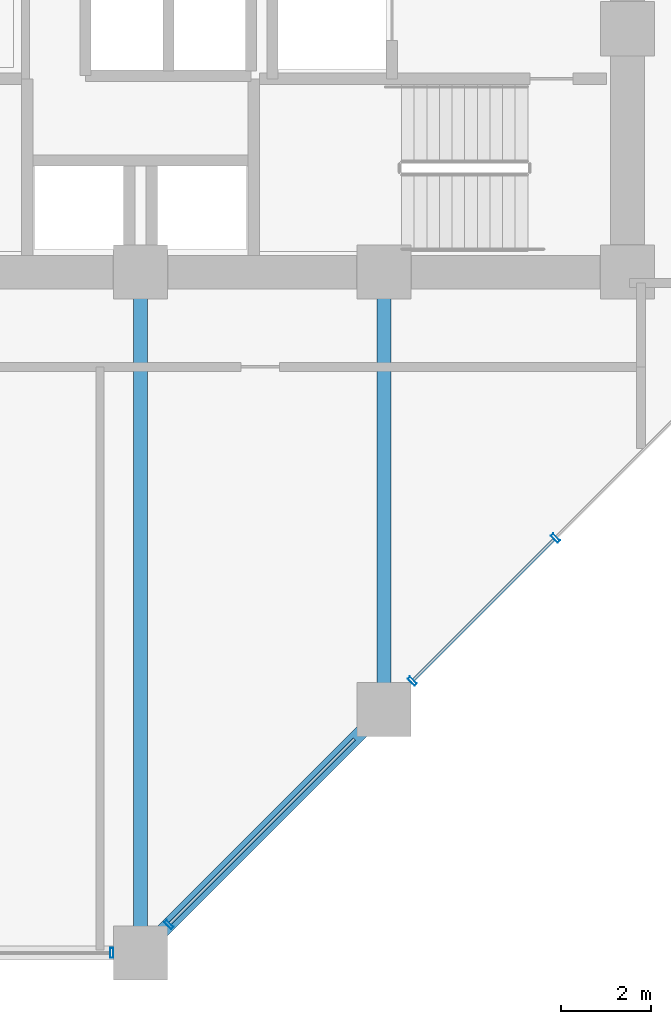
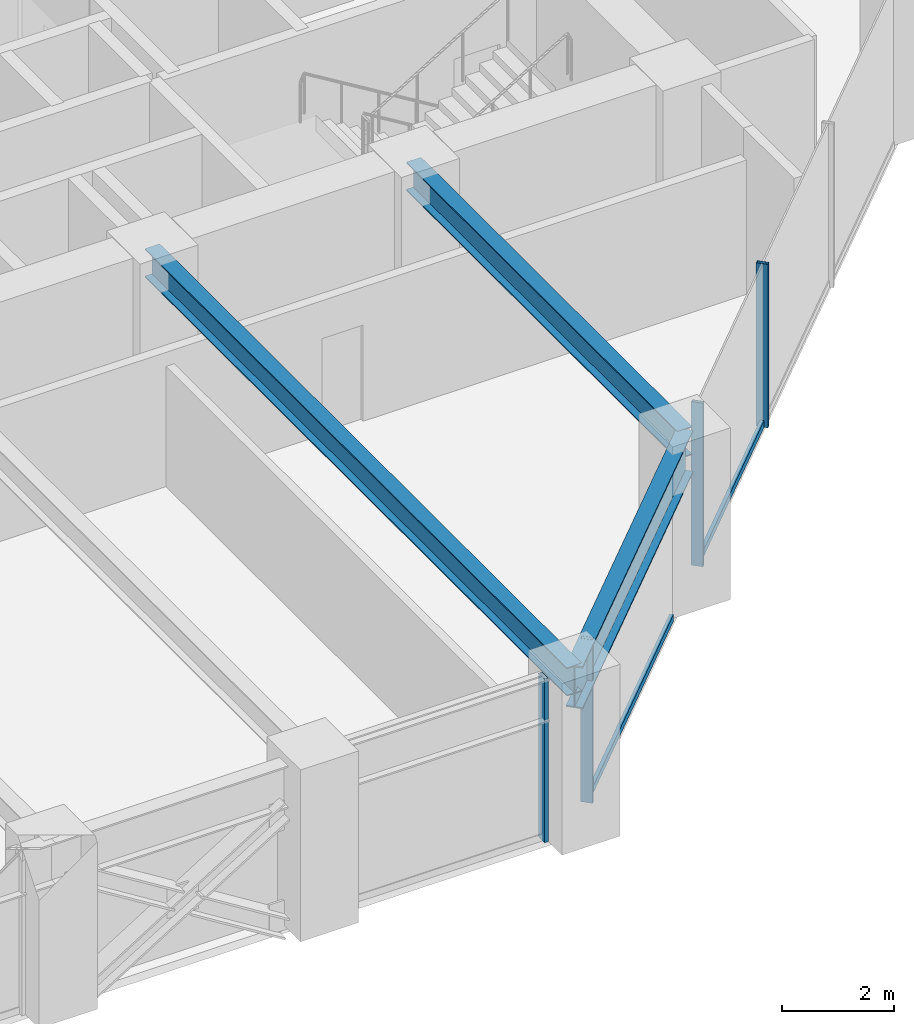
# One storey, part 7 of 27: 6 members, 3 beams, 2 elements without a shape of their own.
"""IFC4 building model written with IfcOpenShell, lengths in metres."""

from ifc_helpers import new_model, si_unit, direction, frame, origin, origin_2d, place, context, subcontext, project, spatial, hollow_rectangle, i_section, extrude, material, layer, layer_set, material_profile, profile_set, type_object, element, aggregate, save


model = new_model("IFC4")

# Units and contexts
model_context = context("Model", 3, precision=1e-05, world=origin(), true_north=direction((0.0, 1.0)))
body_context = subcontext(model_context, "Body", "Model", "MODEL_VIEW")
ifc_project = project(units=[si_unit("LENGTHUNIT", "METRE"), si_unit("AREAUNIT", "SQUARE_METRE"), si_unit("VOLUMEUNIT", "CUBIC_METRE"), si_unit("PLANEANGLEUNIT", "RADIAN"), si_unit("MASSUNIT", "GRAM", prefix="KILO")], contexts=[model_context])

# Site, building, storey
site_placement = place(None, origin())
site = spatial("IfcSite", under=ifc_project, at=site_placement, CompositionType="ELEMENT")
building_placement = place(site_placement, origin())
building = spatial("IfcBuilding", under=site, at=building_placement, Name="Surkhivell Harbour Commons", CompositionType="ELEMENT")
storey_placement = place(building_placement, frame((0.0, 0.0, 56.25)))
storey = spatial("IfcBuildingStorey", under=building, at=storey_placement, Name="L14", CompositionType="ELEMENT", Elevation=56.25)

# Beams
ifc_material_1 = material(Name="Steel S355", Category="steel")
ifc_material_profile_1 = material_profile(ifc_material_1, i_section(OverallWidth=0.306884765625, OverallDepth=0.6201171875, WebThickness=0.01416015625, FlangeThickness=0.023681640625, at=origin_2d()), Name="UB610x305x179")
ifc_profile_set_1 = profile_set([ifc_material_profile_1], Name="Steel S355")
beam_type_1 = type_object("IfcBeamType", Name="BM-GRD-610A", PredefinedType="BEAM", material=ifc_profile_set_1)
beam_1_placement = place(storey_placement, frame((0.0, -25.89990234375, 3.260009765625), z_axis=(0.0, 1.0, 0.0), x_axis=(-1.0, 0.0, 0.0)))
element("IfcBeam", 1, at=beam_1_placement, inside=storey, type_object=beam_type_1, Name="L14 Floor Girder (0.0,-25.9)", PredefinedType="BEAM", context=body_context, shape_type="SweptSolid", body=[
    extrude(i_section(OverallWidth=0.306884765625, OverallDepth=0.6201171875, WebThickness=0.01416015625, FlangeThickness=0.023681640625, at=origin_2d()), origin(), (0.0, 0.0, 1.0), 15.099853515625),
])
beam_2_placement = place(storey_placement, frame((5.39990234375, -20.5, 3.260009765625), z_axis=(0.0, 1.0, 0.0), x_axis=(-1.0, 0.0, 0.0)))
element("IfcBeam", 2, at=beam_2_placement, inside=storey, type_object=beam_type_1, Name="L14 Floor Girder (5.4,-20.5)", PredefinedType="BEAM", context=body_context, shape_type="SweptSolid", body=[
    extrude(i_section(OverallWidth=0.306884765625, OverallDepth=0.6201171875, WebThickness=0.01416015625, FlangeThickness=0.023681640625, at=origin_2d()), origin(), (0.0, 0.0, 1.0), 9.699951171875),
])
ifc_material_2 = material(Name="Steel S460", Category="steel")
ifc_material_profile_2 = material_profile(ifc_material_2, i_section(OverallWidth=0.30810546875, OverallDepth=0.927001953125, WebThickness=0.01953125, FlangeThickness=0.031982421875, at=origin_2d()), Name="UB914x305x289")
ifc_profile_set_2 = profile_set([ifc_material_profile_2], Name="Steel S460")
beam_type_2 = type_object("IfcBeamType", Name="BM-SPN-914B", PredefinedType="SPANDREL", material=ifc_profile_set_2)
beam_3_placement = place(storey_placement, frame((0.0, -25.89990234375, 3.1064453125), z_axis=(0.707106781187, 0.707106781187, 0.0), x_axis=(-0.707106781187, 0.707106781187, 0.0)))
element("IfcBeam", 3, at=beam_3_placement, inside=storey, type_object=beam_type_2, Name="L14 Tube Spandrel (-0.0,-25.9)", PredefinedType="SPANDREL", context=body_context, shape_type="SweptSolid", body=[
    extrude(i_section(OverallWidth=0.30810546875, OverallDepth=0.927001953125, WebThickness=0.01953125, FlangeThickness=0.031982421875, at=origin_2d()), origin(), (0.0, 0.0, 1.0), 7.63671875),
])

# Curtain wall, member
ifc_material_3 = material(Name="Anodised pale-metal aluminium and insulated glazing", Category="aluminium")
ifc_layer = layer(ifc_material_3, 0.219970703125)
ifc_layer_set = layer_set([ifc_layer], Name="Anodised pale-metal aluminium and insulated glazing")
curtain_wall_type = type_object("IfcCurtainWallType", Name="CW-SYS-Z1", PredefinedType="NOTDEFINED", material=ifc_layer_set)
curtain_wall_1_placement = place(storey_placement, origin())
curtain_wall_1 = element("IfcCurtainWall", 4, at=curtain_wall_1_placement, inside=storey, type_object=curtain_wall_type, Name="L14 Curtain Wall CW-L14-E00S2", PredefinedType="NOTDEFINED")
ifc_material_4 = material(Name="Anodised pale-metal aluminium alloy 6063-T6", Category="aluminium")
ifc_material_profile_3 = material_profile(ifc_material_4, hollow_rectangle(XDim=0.074951171875, YDim=0.219970703125, WallThickness=0.00390625, at=origin_2d()), Name="ALU-MULL-75x220")
ifc_profile_set_3 = profile_set([ifc_material_profile_3], Name="Anodised pale-metal aluminium alloy 6063-T6")
member_type_1 = type_object("IfcMemberType", Name="CWM-220", PredefinedType="MULLION", material=ifc_profile_set_3)
member_1_placement = place(storey_placement, frame((-0.639404296875, -25.89990234375, 0.0), z_axis=(0.0, 0.0, 1.0), x_axis=(1.0, 0.0, 0.0)))
member_1 = element("IfcMember", 5, at=member_1_placement, type_object=member_type_1, Name="CW-Z1 mullion 2", PredefinedType="MULLION", context=body_context, shape_type="SweptSolid", body=[
    extrude(hollow_rectangle(XDim=0.074951171875, YDim=0.219970703125, WallThickness=0.00390625, at=origin_2d()), origin(), (0.0, 0.0, 1.0), 3.570068359375),
])
aggregate(curtain_wall_1, [member_1])

# Curtain wall, members
curtain_wall_2_placement = place(storey_placement, origin())
curtain_wall_2 = element("IfcCurtainWall", 6, at=curtain_wall_2_placement, inside=storey, type_object=curtain_wall_type, Name="L14 Curtain Wall CW-L14-E01", PredefinedType="NOTDEFINED")
member_2_placement = place(storey_placement, frame((0.628173828125, -25.271728515625, 0.0), z_axis=(0.0, 0.0, 1.0), x_axis=(0.707106781187, 0.707106781187, 0.0)))
member_2 = element("IfcMember", 7, at=member_2_placement, type_object=member_type_1, Name="CW-Z1 mullion 1", PredefinedType="MULLION", context=body_context, shape_type="SweptSolid", body=[
    extrude(hollow_rectangle(XDim=0.074951171875, YDim=0.219970703125, WallThickness=0.00390625, at=origin_2d()), origin(), (0.0, 0.0, 1.0), 3.570068359375),
])
member_3_placement = place(storey_placement, frame((6.0283203125, -19.871826171875, 0.0), z_axis=(0.0, 0.0, 1.0), x_axis=(0.707106781187, 0.707106781187, 0.0)))
member_3 = element("IfcMember", 8, at=member_3_placement, type_object=member_type_1, Name="CW-Z1 mullion 2", PredefinedType="MULLION", context=body_context, shape_type="SweptSolid", body=[
    extrude(hollow_rectangle(XDim=0.074951171875, YDim=0.219970703125, WallThickness=0.00390625, at=origin_2d()), origin(), (0.0, 0.0, 1.0), 3.570068359375),
])
member_4_placement = place(storey_placement, frame((9.20068359375, -16.699462890625, 0.0), z_axis=(0.0, 0.0, 1.0), x_axis=(0.707106781187, 0.707106781187, 0.0)))
member_4 = element("IfcMember", 9, at=member_4_placement, type_object=member_type_1, Name="CW-Z1 mullion 3", PredefinedType="MULLION", context=body_context, shape_type="SweptSolid", body=[
    extrude(hollow_rectangle(XDim=0.074951171875, YDim=0.219970703125, WallThickness=0.00390625, at=origin_2d()), origin(), (0.0, 0.0, 1.0), 3.570068359375),
])
ifc_material_profile_4 = material_profile(ifc_material_4, hollow_rectangle(XDim=0.074951171875, YDim=0.14990234375, WallThickness=0.00341796875, at=origin_2d()), Name="ALU-TRAN-75x150")
ifc_profile_set_4 = profile_set([ifc_material_profile_4], Name="Anodised pale-metal aluminium alloy 6063-T6")
member_type_2 = type_object("IfcMemberType", Name="CWT-150", PredefinedType="USERDEFINED", material=ifc_profile_set_4)
member_5_placement = place(storey_placement, frame((0.65478515625, -25.2451171875, 0.074951171875), z_axis=(0.707106781187, 0.707106781187, 0.0), x_axis=(-0.707106781187, 0.707106781187, 0.0)))
member_5 = element("IfcMember", 10, at=member_5_placement, type_object=member_type_2, Name="CW-Z1 transom 1.1", ObjectType="TRANSOM", PredefinedType="USERDEFINED", context=body_context, shape_type="SweptSolid", body=[
    extrude(hollow_rectangle(XDim=0.074951171875, YDim=0.14990234375, WallThickness=0.00341796875, at=origin_2d()), origin(), (0.0, 0.0, 1.0), 5.78466796875),
])
member_6_placement = place(storey_placement, frame((6.0546875, -19.84521484375, 0.074951171875), z_axis=(0.707106781187, 0.707106781187, 0.0), x_axis=(-0.707106781187, 0.707106781187, 0.0)))
member_6 = element("IfcMember", 11, at=member_6_placement, type_object=member_type_2, Name="CW-Z1 transom 2.1", ObjectType="TRANSOM", PredefinedType="USERDEFINED", context=body_context, shape_type="SweptSolid", body=[
    extrude(hollow_rectangle(XDim=0.074951171875, YDim=0.14990234375, WallThickness=0.00341796875, at=origin_2d()), origin(), (0.0, 0.0, 1.0), 4.411376953125),
])
aggregate(curtain_wall_2, [member_2, member_5, member_3, member_4, member_6])

save(model, "model.ifc")
